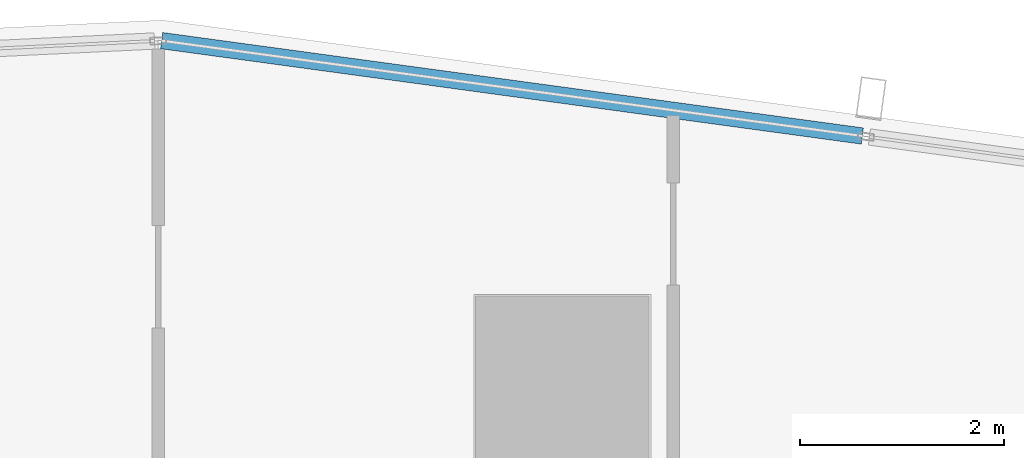
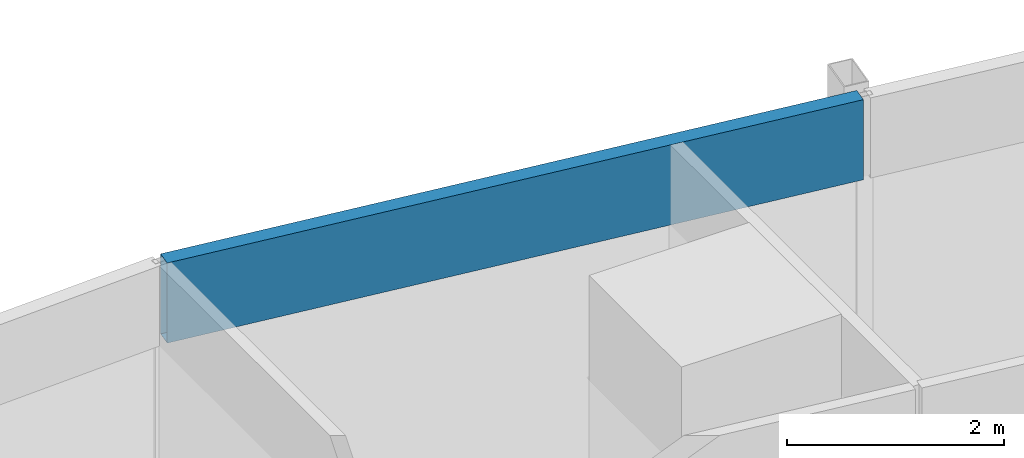
# One storey, part 22 of 39: 1 member, 1 element without a shape of its own.
"""IFC4 building model written with IfcOpenShell, lengths in metres."""

from ifc_helpers import new_model, si_unit, direction, frame, origin, origin_2d, place, context, subcontext, project, spatial, hollow_rectangle, extrude, material, material_profile, profile_set, type_object, element, aggregate, save


model = new_model("IFC4")

# Units and contexts
model_context = context("Model", 3, precision=1e-05, world=origin(), true_north=direction((0.0, 1.0)))
body_context = subcontext(model_context, "Body", "Model", "MODEL_VIEW")
ifc_project = project(units=[si_unit("LENGTHUNIT", "METRE"), si_unit("AREAUNIT", "SQUARE_METRE"), si_unit("VOLUMEUNIT", "CUBIC_METRE"), si_unit("PLANEANGLEUNIT", "RADIAN"), si_unit("MASSUNIT", "GRAM", prefix="KILO")], contexts=[model_context])

# Site, building, storey
site_placement = place(None, origin())
site = spatial("IfcSite", under=ifc_project, at=site_placement, CompositionType="ELEMENT")
building_placement = place(site_placement, origin())
building = spatial("IfcBuilding", under=site, at=building_placement, Name="Rekha Terrace Tower", CompositionType="ELEMENT")
storey_placement = place(building_placement, frame((0.0, 0.0, 180.199951171875)))
storey = spatial("IfcBuildingStorey", under=building, at=storey_placement, Name="L45", CompositionType="ELEMENT", Elevation=180.199951171875)

# Curtain wall, member
ifc_material_1 = material(Name="Aluminium framing", Category="aluminium")
curtain_wall_type = type_object("IfcCurtainWallType", Name="CW3 north unitised glazing", PredefinedType="USERDEFINED", material=ifc_material_1)
curtain_wall_placement = place(storey_placement, origin())
curtain_wall = element("IfcCurtainWall", 1, at=curtain_wall_placement, inside=storey, type_object=curtain_wall_type, Name="CW3 unitised curtain wall", ObjectType="UNITISED CURTAIN WALL", PredefinedType="USERDEFINED")
ifc_material_2 = material(Name="Insulated aluminium spandrel box", Category="aluminium")
ifc_material_profile = material_profile(ifc_material_2, hollow_rectangle(XDim=0.159912109375, YDim=0.89990234375, WallThickness=0.0029296875, at=origin_2d()), Name="AL SPANDREL BOX 160x900")
ifc_profile_set = profile_set([ifc_material_profile], Name="Insulated aluminium spandrel box")
member_type = type_object("IfcMemberType", Name="CW3 spandrel transom 160 x 900", PredefinedType="USERDEFINED", material=ifc_profile_set)
member_placement = place(storey_placement, frame((53.334716796875, 61.21630859375, 3.050048828125), z_axis=(-0.990863635349, 0.134867550367, 0.0), x_axis=(-0.134867550367, -0.990863635349, 0.0)))
member = element("IfcMember", 2, at=member_placement, type_object=member_type, Name="CW3 spandrel transom 2", ObjectType="TRANSOM", PredefinedType="USERDEFINED", context=body_context, shape_type="SweptSolid", body=[
    extrude(hollow_rectangle(XDim=0.159912109375, YDim=0.89990234375, WallThickness=0.0029296875, at=origin_2d()), origin(), (0.0, 0.0, 1.0), 6.918701171875),
])
aggregate(curtain_wall, [member])

save(model, "model.ifc")
